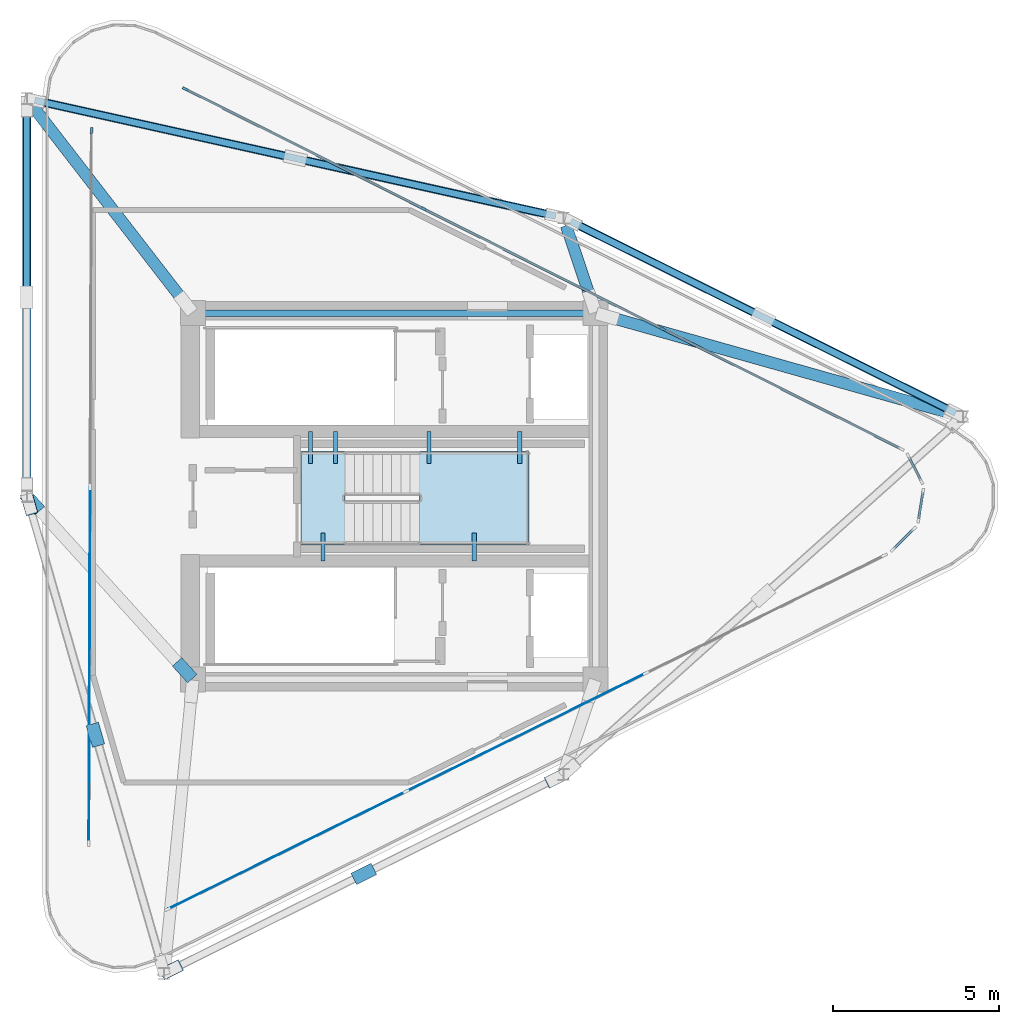
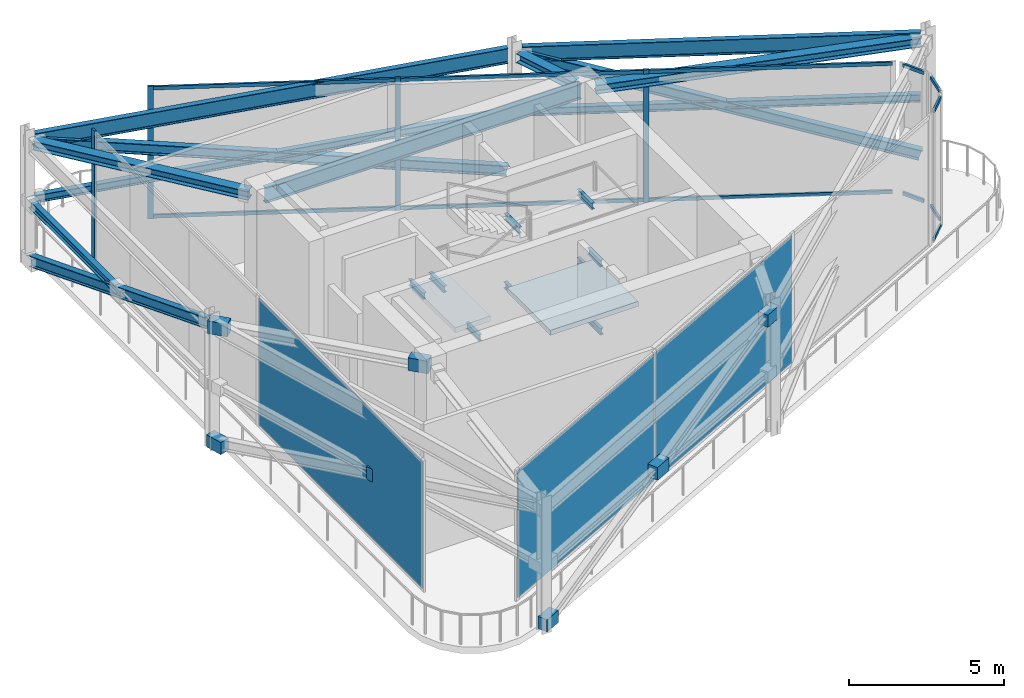
# One storey, part 2 of 7: 27 members, 12 beams, 10 plates, 2 slabs, 7 elements without a shape of their own.
"""IFC4 building model written with IfcOpenShell, lengths in metres."""

from ifc_helpers import new_model, si_unit, direction, frame, origin, origin_2d, place, context, subcontext, project, spatial, polyline, rectangle, i_section, outline, extrude, source, transform, mapped, material, layer, layer_set, material_profile, profile_set, type_object, element, aggregate, save


model = new_model("IFC4")

# Units and contexts
model_context = context("Model", 3, precision=1e-05, world=origin(), true_north=direction((0.0, 1.0)))
body_context = subcontext(model_context, "Body", "Model", "MODEL_VIEW")
ifc_project = project(units=[si_unit("LENGTHUNIT", "METRE"), si_unit("AREAUNIT", "SQUARE_METRE"), si_unit("VOLUMEUNIT", "CUBIC_METRE"), si_unit("PLANEANGLEUNIT", "RADIAN"), si_unit("MASSUNIT", "GRAM", prefix="KILO")], contexts=[model_context])

# Site, building, storey
site_placement = place(None, origin())
site = spatial("IfcSite", under=ifc_project, at=site_placement, CompositionType="ELEMENT")
building_placement = place(site_placement, origin())
building = spatial("IfcBuilding", under=site, at=building_placement, Name="Yunling Apex Tower", CompositionType="ELEMENT")
storey_placement = place(building_placement, frame((0.0, 0.0, 322.85009765625)))
storey = spatial("IfcBuildingStorey", under=building, at=storey_placement, Name="C02", CompositionType="ELEMENT", Elevation=322.85009765625)

# Beams
ifc_material_1 = material(Name="Steel Q355B", Category="steel")
ifc_material_profile_1 = material_profile(ifc_material_1, i_section(OverallWidth=0.199951171875, OverallDepth=0.60009765625, WebThickness=0.010986328125, FlangeThickness=0.01708984375, FilletRadius=0.02197265625, at=origin_2d()))
ifc_profile_set_1 = profile_set([ifc_material_profile_1], Name="Steel Q355B")
beam_type_1 = type_object("IfcBeamType", Name="BG-PRI-5", PredefinedType="USERDEFINED", material=ifc_profile_set_1)
shared_shape_1 = source(origin(), body_context, "Body", "SweptSolid", [
    extrude(i_section(OverallWidth=0.199951171875, OverallDepth=0.60009765625, WebThickness=0.010986328125, FlangeThickness=0.01708984375, FilletRadius=0.02197265625, at=origin_2d()), origin(), (0.0, 0.0, 1.0), 11.7998046875),
])
beam_1_placement = place(storey_placement, frame((5.89990234375, 5.5, 4.83984375), z_axis=(-1.0, 0.0, 0.0), x_axis=(0.0, -1.0, 0.0)))
element("IfcBeam", 1, at=beam_1_placement, inside=storey, type_object=beam_type_1, Name="C02 Core Ring Tie Beam 3", ObjectType="GIRDER", PredefinedType="USERDEFINED", context=body_context, shape_type="MappedRepresentation", body=[
    mapped(shared_shape_1, transform((0.0, 0.0, 0.0), scale=1.0)),
])
ifc_material_profile_2 = material_profile(ifc_material_1, i_section(OverallWidth=0.125, OverallDepth=0.25, WebThickness=0.006103515625, FlangeThickness=0.009033203125, FilletRadius=0.011962890625, at=origin_2d()))
ifc_profile_set_2 = profile_set([ifc_material_profile_2], Name="Steel Q355B")
beam_type_2 = type_object("IfcBeamType", Name="BL-LNT-1", PredefinedType="LINTEL", material=ifc_profile_set_2)
shared_shape_2 = source(origin(), body_context, "Body", "SweptSolid", [
    extrude(i_section(OverallWidth=0.125, OverallDepth=0.25, WebThickness=0.006103515625, FlangeThickness=0.009033203125, FilletRadius=0.011962890625, at=origin_2d()), origin(), (0.0, 0.0, 1.0), 0.949951171875),
])
for number, where, z_axis, x_axis, name in (
    (2, (1.0400390625, 1.93994140625, 1.02978515625), (0.0, -1.0, 0.0), (1.0, 0.0, 0.0), "C02 ST-C1 Landing Bearing Corbel 1-1"),
    (3, (3.77001953125, 1.93994140625, 1.02978515625), (0.0, -1.0, 0.0), (1.0, 0.0, 0.0), "C02 ST-C1 Landing Bearing Corbel 1-2"),
    (4, (-2.52001953125, 1.93994140625, 2.3798828125), (0.0, -1.0, 0.0), (1.0, 0.0, 0.0), "C02 ST-C1 Landing Bearing Corbel 2-1"),
    (5, (-1.760009765625, 1.93994140625, 2.3798828125), (0.0, -1.0, 0.0), (1.0, 0.0, 0.0), "C02 ST-C1 Landing Bearing Corbel 2-2"),
    (6, (1.0400390625, 1.93994140625, 3.72998046875), (0.0, -1.0, 0.0), (1.0, 0.0, 0.0), "C02 ST-C1 Landing Bearing Corbel 3-1"),
    (7, (3.77001953125, 1.93994140625, 3.72998046875), (0.0, -1.0, 0.0), (1.0, 0.0, 0.0), "C02 ST-C1 Landing Bearing Corbel 3-2"),
):
    element("IfcBeam", number, at=place(storey_placement, frame(where, z_axis=z_axis, x_axis=x_axis)), inside=storey, type_object=beam_type_2, Name=name, PredefinedType="LINTEL", context=body_context, shape_type="MappedRepresentation", body=[
        mapped(shared_shape_2, transform((0.0, 0.0, 0.0), scale=1.0)),
    ])
shared_shape_3 = source(origin(), body_context, "Body", "SweptSolid", [
    extrude(i_section(OverallWidth=0.125, OverallDepth=0.25, WebThickness=0.006103515625, FlangeThickness=0.009033203125, FilletRadius=0.011962890625, at=origin_2d()), origin(), (0.0, 0.0, 1.0), 0.83984375),
])
for number, where, z_axis, x_axis, name in (
    (8, (2.405029296875, -1.93994140625, 1.02978515625), (0.0, 1.0, 0.0), (-1.0, 0.0, 0.0), "C02 ST-C1 Landing Bearing Corbel 1-3"),
    (9, (-2.139892578125, -1.93994140625, 2.3798828125), (0.0, 1.0, 0.0), (-1.0, 0.0, 0.0), "C02 ST-C1 Landing Bearing Corbel 2-3"),
    (10, (2.405029296875, -1.93994140625, 3.72998046875), (0.0, 1.0, 0.0), (-1.0, 0.0, 0.0), "C02 ST-C1 Landing Bearing Corbel 3-3"),
):
    element("IfcBeam", number, at=place(storey_placement, frame(where, z_axis=z_axis, x_axis=x_axis)), inside=storey, type_object=beam_type_2, Name=name, PredefinedType="LINTEL", context=body_context, shape_type="MappedRepresentation", body=[
        mapped(shared_shape_3, transform((0.0, 0.0, 0.0), scale=1.0)),
    ])
shared_shape_4 = source(origin(), body_context, "Body", "SweptSolid", [
    extrude(i_section(OverallWidth=0.199951171875, OverallDepth=0.60009765625, WebThickness=0.010986328125, FlangeThickness=0.01708984375, FilletRadius=0.02197265625, at=origin_2d()), origin(), (0.0, 0.0, 1.0), 12.920654296875),
])
beam_2_placement = place(storey_placement, frame((16.8701171875, 2.499267578125, 4.83984375), z_axis=(-0.895245748145, 0.445572721818, 0.0), x_axis=(-0.445572721818, -0.895245748145, 0.0)))
element("IfcBeam", 11, at=beam_2_placement, inside=storey, type_object=beam_type_1, Name="C02 Crown Ring Beam 3", ObjectType="GIRDER", PredefinedType="USERDEFINED", context=body_context, shape_type="MappedRepresentation", body=[
    mapped(shared_shape_4, transform((0.0, 0.0, 0.0), scale=1.0)),
])

# Members
ifc_material_profile_3 = material_profile(ifc_material_1, i_section(OverallWidth=0.25, OverallDepth=0.39990234375, WebThickness=0.013916015625, FlangeThickness=0.02197265625, FilletRadius=0.01611328125, at=origin_2d()))
ifc_profile_set_3 = profile_set([ifc_material_profile_3], Name="Steel Q355B")
member_type_1 = type_object("IfcMemberType", Name="CR-RIB-1", PredefinedType="RAFTER", material=ifc_profile_set_3)
shared_shape_5 = source(origin(), body_context, "Body", "SweptSolid", [
    extrude(i_section(OverallWidth=0.25, OverallDepth=0.39990234375, WebThickness=0.013916015625, FlangeThickness=0.02197265625, FilletRadius=0.01611328125, at=origin_2d()), origin(), (0.0, 0.0, 1.0), 13.678466796875),
])
member_1_placement = place(storey_placement, frame((16.8701171875, 2.499267578125, 0.2998046875), z_axis=(-0.845640817828, 0.420883854138, 0.328250496648), x_axis=(-0.445572721818, -0.895245748145, 0.0)))
element("IfcMember", 12, at=member_1_placement, inside=storey, type_object=member_type_1, Name="C02 Crown Faceted Structural Rafter 3", PredefinedType="RAFTER", context=body_context, shape_type="MappedRepresentation", body=[
    mapped(shared_shape_5, transform((0.0, 0.0, 0.0), scale=1.0)),
])
ifc_material_profile_4 = material_profile(ifc_material_1, i_section(OverallWidth=0.199951171875, OverallDepth=0.300048828125, WebThickness=0.009033203125, FlangeThickness=0.013916015625, FilletRadius=0.013916015625, at=origin_2d()))
ifc_profile_set_4 = profile_set([ifc_material_profile_4], Name="Steel Q355B")
member_type_2 = type_object("IfcMemberType", Name="CR-PUR-1", PredefinedType="PURLIN", material=ifc_profile_set_4)
shared_shape_6 = source(origin(), body_context, "Body", "SweptSolid", [
    extrude(i_section(OverallWidth=0.199951171875, OverallDepth=0.300048828125, WebThickness=0.009033203125, FlangeThickness=0.013916015625, FilletRadius=0.013916015625, at=origin_2d()), origin(), (0.0, 0.0, 1.0), 6.335205078125),
])
for number, where, z_axis, x_axis, name in (
    (13, (16.8701171875, 2.499267578125, 2.544921875), (-0.895250359545, 0.445563456462, 0.0), (-0.445563456462, -0.895250359545, 0.0), "C02 Crown Faceted Glazing Purlin 3A"),
    (14, (10.974609375, 5.43359375, 2.544921875), (-0.895250359545, 0.445563456462, 0.0), (-0.445563456462, -0.895250359545, 0.0), "C02 Crown Faceted Glazing Purlin 3B"),
):
    element("IfcMember", number, at=place(storey_placement, frame(where, z_axis=z_axis, x_axis=x_axis)), inside=storey, type_object=member_type_2, Name=name, PredefinedType="PURLIN", context=body_context, shape_type="MappedRepresentation", body=[
        mapped(shared_shape_6, transform((0.0, 0.0, 0.0), scale=1.0)),
    ])
ifc_material_profile_5 = material_profile(ifc_material_1, i_section(OverallWidth=0.35009765625, OverallDepth=0.35009765625, WebThickness=0.011962890625, FlangeThickness=0.01904296875, FilletRadius=0.01611328125, at=origin_2d()))
ifc_profile_set_5 = profile_set([ifc_material_profile_5], Name="Steel Q355B")
member_type_3 = type_object("IfcMemberType", Name="ST-STR-1", PredefinedType="STRUT", material=ifc_profile_set_5)
shared_shape_7 = source(origin(), body_context, "Body", "SweptSolid", [
    extrude(i_section(OverallWidth=0.35009765625, OverallDepth=0.35009765625, WebThickness=0.011962890625, FlangeThickness=0.01904296875, FilletRadius=0.01611328125, at=origin_2d()), origin(), (0.0, 0.0, 1.0), 2.414794921875),
])
member_2_placement = place(storey_placement, frame((5.93359375, 5.845947265625, 4.83984375), z_axis=(-0.318865218204, 0.947800069962, 0.0), x_axis=(-0.947800069962, -0.318865218204, 0.0)))
element("IfcMember", 15, at=member_2_placement, inside=storey, type_object=member_type_3, Name="C02 Crown Radial Stabilizer Strut 4", PredefinedType="STRUT", context=body_context, shape_type="MappedRepresentation", body=[
    mapped(shared_shape_7, transform((0.0, 0.0, 0.0), scale=1.0)),
])
shared_shape_8 = source(origin(), body_context, "Body", "SweptSolid", [
    extrude(i_section(OverallWidth=0.35009765625, OverallDepth=0.35009765625, WebThickness=0.011962890625, FlangeThickness=0.01904296875, FilletRadius=0.01611328125, at=origin_2d()), origin(), (0.0, 0.0, 1.0), 10.859130859375),
])
member_3_placement = place(storey_placement, frame((6.4013671875, 5.40087890625, 4.83984375), z_axis=(0.962552176082, -0.271096492635, 0.0), x_axis=(0.271096492635, 0.962552176082, 0.0)))
element("IfcMember", 16, at=member_3_placement, inside=storey, type_object=member_type_3, Name="C02 Crown Radial Stabilizer Strut 3", PredefinedType="STRUT", context=body_context, shape_type="MappedRepresentation", body=[
    mapped(shared_shape_8, transform((0.0, 0.0, 0.0), scale=1.0)),
])

# Beam
shared_shape_9 = source(origin(), body_context, "Body", "SweptSolid", [
    extrude(i_section(OverallWidth=0.199951171875, OverallDepth=0.60009765625, WebThickness=0.010986328125, FlangeThickness=0.01708984375, FilletRadius=0.02197265625, at=origin_2d()), origin(), (0.0, 0.0, 1.0), 16.032470703125),
])
beam_3_placement = place(storey_placement, frame((4.85009765625, 8.41650390625, 4.83984375), z_axis=(-0.976209627897, 0.216828878151, 0.0), x_axis=(-0.216828878151, -0.976209627897, 0.0)))
element("IfcBeam", 17, at=beam_3_placement, inside=storey, type_object=beam_type_1, Name="C02 Crown Ring Beam 4", ObjectType="GIRDER", PredefinedType="USERDEFINED", context=body_context, shape_type="MappedRepresentation", body=[
    mapped(shared_shape_9, transform((0.0, 0.0, 0.0), scale=1.0)),
])

# Members
shared_shape_10 = source(origin(), body_context, "Body", "SweptSolid", [
    extrude(i_section(OverallWidth=0.25, OverallDepth=0.39990234375, WebThickness=0.013916015625, FlangeThickness=0.02197265625, FilletRadius=0.01611328125, at=origin_2d()), origin(), (0.0, 0.0, 1.0), 16.6494140625),
])
member_4_placement = place(storey_placement, frame((4.85009765625, 8.41650390625, 0.2998046875), z_axis=(-0.940041377627, 0.208795438502, 0.269678833449), x_axis=(-0.216828878151, -0.976209627897, 0.0)))
element("IfcMember", 18, at=member_4_placement, inside=storey, type_object=member_type_1, Name="C02 Crown Faceted Structural Rafter 4", PredefinedType="RAFTER", context=body_context, shape_type="MappedRepresentation", body=[
    mapped(shared_shape_10, transform((0.0, 0.0, 0.0), scale=1.0)),
])
shared_shape_11 = source(origin(), body_context, "Body", "SweptSolid", [
    extrude(i_section(OverallWidth=0.199951171875, OverallDepth=0.300048828125, WebThickness=0.009033203125, FlangeThickness=0.013916015625, FilletRadius=0.013916015625, at=origin_2d()), origin(), (0.0, 0.0, 1.0), 7.891357421875),
])
for number, where, z_axis, x_axis, name in (
    (19, (4.85009765625, 8.41650390625, 2.544921875), (-0.976206710686, 0.216842011637, 0.0), (-0.216842011637, -0.976206710686, 0.0), "C02 Crown Faceted Glazing Purlin 4A"),
    (20, (-3.097412109375, 10.181884765625, 2.544921875), (-0.976213259249, 0.21681252839, 0.0), (-0.21681252839, -0.976213259249, 0.0), "C02 Crown Faceted Glazing Purlin 4B"),
):
    element("IfcMember", number, at=place(storey_placement, frame(where, z_axis=z_axis, x_axis=x_axis)), inside=storey, type_object=member_type_2, Name=name, PredefinedType="PURLIN", context=body_context, shape_type="MappedRepresentation", body=[
        mapped(shared_shape_11, transform((0.0, 0.0, 0.0), scale=1.0)),
    ])
shared_shape_12 = source(origin(), body_context, "Body", "SweptSolid", [
    extrude(i_section(OverallWidth=0.25, OverallDepth=0.39990234375, WebThickness=0.013916015625, FlangeThickness=0.02197265625, FilletRadius=0.01611328125, at=origin_2d()), origin(), (0.0, 0.0, 1.0), 12.3095703125),
])
member_5_placement = place(storey_placement, frame((-11.037353515625, 11.703369140625, 0.2998046875), z_axis=(0.0, -0.931102543385, 0.364757527274), x_axis=(1.0, 0.0, 0.0)))
element("IfcMember", 21, at=member_5_placement, inside=storey, type_object=member_type_1, Name="C02 Crown Faceted Structural Rafter 5", PredefinedType="RAFTER", context=body_context, shape_type="MappedRepresentation", body=[
    mapped(shared_shape_12, transform((0.0, 0.0, 0.0), scale=1.0)),
])
shared_shape_13 = source(origin(), body_context, "Body", "SweptSolid", [
    extrude(i_section(OverallWidth=0.199951171875, OverallDepth=0.300048828125, WebThickness=0.009033203125, FlangeThickness=0.013916015625, FilletRadius=0.013916015625, at=origin_2d()), origin(), (0.0, 0.0, 1.0), 5.605712890625),
])
member_6_placement = place(storey_placement, frame((-11.037353515625, 11.703369140625, 2.544921875), z_axis=(0.0, -1.0, 0.0), x_axis=(1.0, 0.0, 0.0)))
element("IfcMember", 22, at=member_6_placement, inside=storey, type_object=member_type_2, Name="C02 Crown Faceted Glazing Purlin 5A", PredefinedType="PURLIN", context=body_context, shape_type="MappedRepresentation", body=[
    mapped(shared_shape_13, transform((0.0, 0.0, 0.0), scale=1.0)),
])
shared_shape_14 = source(origin(), body_context, "Body", "SweptSolid", [
    extrude(i_section(OverallWidth=0.35009765625, OverallDepth=0.35009765625, WebThickness=0.011962890625, FlangeThickness=0.01904296875, FilletRadius=0.01611328125, at=origin_2d()), origin(), (0.0, 0.0, 1.0), 7.542236328125),
])
member_7_placement = place(storey_placement, frame((-6.2734375, 5.788818359375, 4.83984375), z_axis=(-0.611973397992, 0.790878347251, 0.0), x_axis=(-0.790878347251, -0.611973397992, 0.0)))
element("IfcMember", 23, at=member_7_placement, inside=storey, type_object=member_type_3, Name="C02 Crown Radial Stabilizer Strut 5", PredefinedType="STRUT", context=body_context, shape_type="MappedRepresentation", body=[
    mapped(shared_shape_14, transform((0.0, 0.0, 0.0), scale=1.0)),
])

# Curtain wall, member
ifc_material_2 = material(Name="Bronze anodised aluminium", Category="aluminium")
ifc_layer_1 = layer(ifc_material_2, 0.179931640625)
ifc_layer_set_1 = layer_set([ifc_layer_1], Name="Bronze anodised aluminium")
curtain_wall_type = type_object("IfcCurtainWallType", Name="CW-SYS-6", PredefinedType="NOTDEFINED", material=ifc_layer_set_1)
curtain_wall_1_placement = place(storey_placement, origin())
curtain_wall_1 = element("IfcCurtainWall", 24, at=curtain_wall_1_placement, inside=storey, type_object=curtain_wall_type, Name="CW-C02-01", PredefinedType="NOTDEFINED")
ifc_material_profile_6 = material_profile(ifc_material_2, rectangle(XDim=0.074951171875, YDim=0.179931640625, at=origin_2d()))
ifc_profile_set_6 = profile_set([ifc_material_profile_6], Name="Bronze anodised aluminium")
member_type_4 = type_object("IfcMemberType", Name="CW-MUL-6", PredefinedType="MULLION", material=ifc_profile_set_6)
shared_shape_15 = source(origin(), body_context, "Body", "SweptSolid", [
    extrude(rectangle(XDim=0.074951171875, YDim=0.179931640625, at=origin_2d()), origin(), (0.0, 0.0, 1.0), 5.239990234375),
])
member_8_placement = place(storey_placement, frame((-9.095458984375, 10.994873046875, -0.050048828125), z_axis=(0.0, 0.0, 1.0), x_axis=(-0.999992977757, 0.003747590734, 0.0)))
member_8 = element("IfcMember", 25, at=member_8_placement, type_object=member_type_4, Name="CW-SYS-6 mullion 3", PredefinedType="MULLION", context=body_context, shape_type="MappedRepresentation", body=[
    mapped(shared_shape_15, transform((0.0, 0.0, 0.0), scale=1.0)),
])

# Curtain wall, members
curtain_wall_2_placement = place(storey_placement, origin())
curtain_wall_2 = element("IfcCurtainWall", 26, at=curtain_wall_2_placement, inside=storey, type_object=curtain_wall_type, Name="CW-C02-05", PredefinedType="NOTDEFINED")
member_9_placement = place(storey_placement, frame((-6.27587890625, 12.23291015625, -0.050048828125), z_axis=(0.0, 0.0, 1.0), x_axis=(0.449129166844, 0.893466838495, 0.0)))
member_9 = element("IfcMember", 27, at=member_9_placement, type_object=member_type_4, Name="CW-SYS-6 mullion 1", PredefinedType="MULLION", context=body_context, shape_type="MappedRepresentation", body=[
    mapped(shared_shape_15, transform((0.0, 0.0, 0.0), scale=1.0)),
])
member_10_placement = place(storey_placement, frame((0.882080078125, 8.634765625, -0.050048828125), z_axis=(0.0, 0.0, 1.0), x_axis=(0.449129166844, 0.893466838495, 0.0)))
member_10 = element("IfcMember", 28, at=member_10_placement, type_object=member_type_4, Name="CW-SYS-6 mullion 2", PredefinedType="MULLION", context=body_context, shape_type="MappedRepresentation", body=[
    mapped(shared_shape_15, transform((0.0, 0.0, 0.0), scale=1.0)),
])
member_11_placement = place(storey_placement, frame((8.073486328125, 5.01953125, -0.050048828125), z_axis=(0.0, 0.0, 1.0), x_axis=(0.449129166844, 0.893466838495, 0.0)))
member_11 = element("IfcMember", 29, at=member_11_placement, type_object=member_type_4, Name="CW-SYS-6 mullion 3", PredefinedType="MULLION", context=body_context, shape_type="MappedRepresentation", body=[
    mapped(shared_shape_15, transform((0.0, 0.0, 0.0), scale=1.0)),
])
ifc_material_profile_7 = material_profile(ifc_material_2, rectangle(XDim=0.074951171875, YDim=0.139892578125, at=origin_2d()))
ifc_profile_set_7 = profile_set([ifc_material_profile_7], Name="Bronze anodised aluminium")
member_type_5 = type_object("IfcMemberType", Name="CW-TRN-6", PredefinedType="USERDEFINED", material=ifc_profile_set_7)
shared_shape_16 = source(origin(), body_context, "Body", "SweptSolid", [
    extrude(rectangle(XDim=0.074951171875, YDim=0.139892578125, at=origin_2d()), origin(), (0.0, 0.0, 1.0), 7.94384765625),
])
member_12_placement = place(storey_placement, frame((-6.245849609375, 12.2177734375, 0.037353515625), z_axis=(0.893466269267, -0.449130299225, 0.0), x_axis=(0.449130299225, 0.893466269267, 0.0)))
member_12 = element("IfcMember", 30, at=member_12_placement, type_object=member_type_5, Name="CW-SYS-6 transom 1.1", ObjectType="TRANSOM", PredefinedType="USERDEFINED", context=body_context, shape_type="MappedRepresentation", body=[
    mapped(shared_shape_16, transform((0.0, 0.0, 0.0), scale=1.0)),
])
member_13_placement = place(storey_placement, frame((-6.245849609375, 12.2177734375, 5.102294921875), z_axis=(0.893466269267, -0.449130299225, 0.0), x_axis=(0.449130299225, 0.893466269267, 0.0)))
member_13 = element("IfcMember", 31, at=member_13_placement, type_object=member_type_5, Name="CW-SYS-6 transom 1.2", ObjectType="TRANSOM", PredefinedType="USERDEFINED", context=body_context, shape_type="MappedRepresentation", body=[
    mapped(shared_shape_16, transform((0.0, 0.0, 0.0), scale=1.0)),
])
member_14_placement = place(storey_placement, frame((8.103759765625, 5.00439453125, 0.037353515625), z_axis=(0.893466269267, -0.449130299225, 0.0), x_axis=(0.449130299225, 0.893466269267, 0.0)))
member_14 = element("IfcMember", 32, at=member_14_placement, type_object=member_type_5, Name="CW-SYS-6 transom 3.1", ObjectType="TRANSOM", PredefinedType="USERDEFINED", context=body_context, shape_type="MappedRepresentation", body=[
    mapped(shared_shape_16, transform((0.0, 0.0, 0.0), scale=1.0)),
])
member_15_placement = place(storey_placement, frame((8.103759765625, 5.00439453125, 5.102294921875), z_axis=(0.893466269267, -0.449130299225, 0.0), x_axis=(0.449130299225, 0.893466269267, 0.0)))
member_15 = element("IfcMember", 33, at=member_15_placement, type_object=member_type_5, Name="CW-SYS-6 transom 3.2", ObjectType="TRANSOM", PredefinedType="USERDEFINED", context=body_context, shape_type="MappedRepresentation", body=[
    mapped(shared_shape_16, transform((0.0, 0.0, 0.0), scale=1.0)),
])
shared_shape_17 = source(origin(), body_context, "Body", "SweptSolid", [
    extrude(rectangle(XDim=0.074951171875, YDim=0.139892578125, at=origin_2d()), origin(), (0.0, 0.0, 1.0), 7.981689453125),
])
member_16_placement = place(storey_placement, frame((0.912109375, 8.61962890625, 0.037353515625), z_axis=(0.893470813847, -0.449121258463, 0.0), x_axis=(0.449121258463, 0.893470813847, 0.0)))
member_16 = element("IfcMember", 34, at=member_16_placement, type_object=member_type_5, Name="CW-SYS-6 transom 2.1", ObjectType="TRANSOM", PredefinedType="USERDEFINED", context=body_context, shape_type="MappedRepresentation", body=[
    mapped(shared_shape_17, transform((0.0, 0.0, 0.0), scale=1.0)),
])
member_17_placement = place(storey_placement, frame((0.912109375, 8.61962890625, 5.102294921875), z_axis=(0.893470813847, -0.449121258463, 0.0), x_axis=(0.449121258463, 0.893470813847, 0.0)))
member_17 = element("IfcMember", 35, at=member_17_placement, type_object=member_type_5, Name="CW-SYS-6 transom 2.2", ObjectType="TRANSOM", PredefinedType="USERDEFINED", context=body_context, shape_type="MappedRepresentation", body=[
    mapped(shared_shape_17, transform((0.0, 0.0, 0.0), scale=1.0)),
])
aggregate(curtain_wall_2, [member_9, member_10, member_11, member_12, member_13, member_16, member_17, member_14, member_15])

curtain_wall_3_placement = place(storey_placement, origin())
curtain_wall_3 = element("IfcCurtainWall", 36, at=curtain_wall_3_placement, inside=storey, type_object=curtain_wall_type, Name="CW-C02-06", PredefinedType="NOTDEFINED")
shared_shape_18 = source(origin(), body_context, "Body", "SweptSolid", [
    extrude(rectangle(XDim=0.074951171875, YDim=0.139892578125, at=origin_2d()), origin(), (0.0, 0.0, 1.0), 0.7998046875),
])
member_18_placement = place(storey_placement, frame((15.459716796875, 1.1806640625, 0.037353515625), z_axis=(0.457561808635, -0.889177817581, 0.0), x_axis=(0.889177817581, 0.457561808635, 0.0)))
member_18 = element("IfcMember", 37, at=member_18_placement, type_object=member_type_5, Name="CW-SYS-6 transom 1.1", ObjectType="TRANSOM", PredefinedType="USERDEFINED", context=body_context, shape_type="MappedRepresentation", body=[
    mapped(shared_shape_18, transform((0.0, 0.0, 0.0), scale=1.0)),
])
member_19_placement = place(storey_placement, frame((15.459716796875, 1.1806640625, 5.102294921875), z_axis=(0.457561808635, -0.889177817581, 0.0), x_axis=(0.889177817581, 0.457561808635, 0.0)))
member_19 = element("IfcMember", 38, at=member_19_placement, type_object=member_type_5, Name="CW-SYS-6 transom 1.2", ObjectType="TRANSOM", PredefinedType="USERDEFINED", context=body_context, shape_type="MappedRepresentation", body=[
    mapped(shared_shape_18, transform((0.0, 0.0, 0.0), scale=1.0)),
])
aggregate(curtain_wall_3, [member_18, member_19])

curtain_wall_4_placement = place(storey_placement, origin())
curtain_wall_4 = element("IfcCurtainWall", 39, at=curtain_wall_4_placement, inside=storey, type_object=curtain_wall_type, Name="CW-C02-07", PredefinedType="NOTDEFINED")
shared_shape_19 = source(origin(), body_context, "Body", "SweptSolid", [
    extrude(rectangle(XDim=0.074951171875, YDim=0.139892578125, at=origin_2d()), origin(), (0.0, 0.0, 1.0), 0.800048828125),
])
member_20_placement = place(storey_placement, frame((15.883056640625, 0.110595703125, 0.037353515625), z_axis=(-0.157764369161, -0.987476786473, 0.0), x_axis=(0.987476786473, -0.157764369161, 0.0)))
member_20 = element("IfcMember", 40, at=member_20_placement, type_object=member_type_5, Name="CW-SYS-6 transom 1.1", ObjectType="TRANSOM", PredefinedType="USERDEFINED", context=body_context, shape_type="MappedRepresentation", body=[
    mapped(shared_shape_19, transform((0.0, 0.0, 0.0), scale=1.0)),
])
member_21_placement = place(storey_placement, frame((15.883056640625, 0.110595703125, 5.102294921875), z_axis=(-0.157764369161, -0.987476786473, 0.0), x_axis=(0.987476786473, -0.157764369161, 0.0)))
member_21 = element("IfcMember", 41, at=member_21_placement, type_object=member_type_5, Name="CW-SYS-6 transom 1.2", ObjectType="TRANSOM", PredefinedType="USERDEFINED", context=body_context, shape_type="MappedRepresentation", body=[
    mapped(shared_shape_19, transform((0.0, 0.0, 0.0), scale=1.0)),
])
aggregate(curtain_wall_4, [member_20, member_21])

curtain_wall_5_placement = place(storey_placement, origin())
curtain_wall_5 = element("IfcCurtainWall", 42, at=curtain_wall_5_placement, inside=storey, type_object=curtain_wall_type, Name="CW-C02-08", PredefinedType="NOTDEFINED")
shared_shape_20 = source(origin(), body_context, "Body", "SweptSolid", [
    extrude(rectangle(XDim=0.074951171875, YDim=0.139892578125, at=origin_2d()), origin(), (0.0, 0.0, 1.0), 0.815673828125),
])
member_22_placement = place(storey_placement, frame((15.59033203125, -1.002197265625, 0.037353515625), z_axis=(-0.713215672413, -0.700944651612, 0.0), x_axis=(0.700944651612, -0.713215672413, 0.0)))
member_22 = element("IfcMember", 43, at=member_22_placement, type_object=member_type_5, Name="CW-SYS-6 transom 1.1", ObjectType="TRANSOM", PredefinedType="USERDEFINED", context=body_context, shape_type="MappedRepresentation", body=[
    mapped(shared_shape_20, transform((0.0, 0.0, 0.0), scale=1.0)),
])
member_23_placement = place(storey_placement, frame((15.59033203125, -1.002197265625, 5.102294921875), z_axis=(-0.713215672413, -0.700944651612, 0.0), x_axis=(0.700944651612, -0.713215672413, 0.0)))
member_23 = element("IfcMember", 44, at=member_23_placement, type_object=member_type_5, Name="CW-SYS-6 transom 1.2", ObjectType="TRANSOM", PredefinedType="USERDEFINED", context=body_context, shape_type="MappedRepresentation", body=[
    mapped(shared_shape_20, transform((0.0, 0.0, 0.0), scale=1.0)),
])
aggregate(curtain_wall_5, [member_22, member_23])

# Stair, slabs
ifc_material_3 = material(Name="Concrete C40", Category="concrete")
stair_type = type_object("IfcStairType", Name="ST-CRN-1", PredefinedType="STRAIGHT_RUN_STAIR", material=ifc_material_3)
stair_placement = place(storey_placement, origin())
stair = element("IfcStair", 45, at=stair_placement, inside=storey, type_object=stair_type, Name="C02 Crown Maintenance Access Stair ST-C1", PredefinedType="HALF_TURN_STAIR")
ifc_layer_2 = layer(ifc_material_3, 0.195068359375)
ifc_layer_set_2 = layer_set([ifc_layer_2], Name="Concrete C40")
slab_type = type_object("IfcSlabType", Name="SL-LND-1", PredefinedType="LANDING", material=ifc_layer_set_2)
slab_1_placement = place(storey_placement, frame((0.0, 0.0, 1.15478515625)))
slab_1 = element("IfcSlab", 46, at=slab_1_placement, type_object=slab_type, Name="ST-C1 landing 1", PredefinedType="LANDING", context=body_context, shape_type="SweptSolid", body=[
    extrude(outline(polyline([(0.760009765625, -1.449951171875), (4.050048828125, -1.449951171875), (4.050048828125, 1.340087890625), (0.760009765625, 1.340087890625), (0.760009765625, -1.449951171875)])), origin(), (0.0, 0.0, 1.0), 0.195068359375),
])
slab_2_placement = place(storey_placement, frame((0.0, 0.0, 2.5048828125)))
slab_2 = element("IfcSlab", 47, at=slab_2_placement, type_object=slab_type, Name="ST-C1 landing 2", PredefinedType="LANDING", context=body_context, shape_type="SweptSolid", body=[
    extrude(outline(polyline([(-2.800048828125, -1.449951171875), (-1.47998046875, -1.449951171875), (-1.47998046875, 1.340087890625), (-2.800048828125, 1.340087890625), (-2.800048828125, -1.449951171875)])), origin(), (0.0, 0.0, 1.0), 0.195068359375),
])
aggregate(stair, [slab_1, slab_2])

# Plates
ifc_layer_3 = layer(ifc_material_1, 0.031982421875)
ifc_layer_set_3 = layer_set([ifc_layer_3], Name="Steel Q355B")
plate_type_1 = type_object("IfcPlateType", Name="NP-GUS-2", PredefinedType="USERDEFINED", material=ifc_layer_set_3)
shared_shape_21 = source(origin(), body_context, "Body", "SweptSolid", [
    extrude(rectangle(XDim=0.64990234375, YDim=0.360107421875, at=origin_2d()), origin(), (0.0, 0.0, 1.0), 0.47998046875),
])
for number, where, z_axis, x_axis, name in (
    (48, (-6.697509765625, -14.22900390625, 0.059814453125), (0.0, 0.0, 1.0), (0.895245648325, 0.445572922377, 0.0), "C02 Crown Rafter Foot Gusset Plate 383"),
    (49, (4.86962890625, -8.471923828125, 4.5498046875), (0.0, 0.0, 1.0), (0.895245648325, 0.445572922377, 0.0), "C02 Crown Rafter Head Gusset Plate 384"),
    (50, (-10.970458984375, -0.232666015625, 0.059814453125), (0.0, 0.0, 1.0), (0.276476109834, -0.961020790978, 0.0), "C02 Crown Rafter Foot Gusset Plate 416"),
):
    element("IfcPlate", number, at=place(storey_placement, frame(where, z_axis=z_axis, x_axis=x_axis)), inside=storey, type_object=plate_type_1, Name=name, ObjectType="GUSSET_PLATE", PredefinedType="USERDEFINED", context=body_context, shape_type="MappedRepresentation", body=[
        mapped(shared_shape_21, transform((0.0, 0.0, 0.0), scale=1.0)),
    ])
shared_shape_22 = source(origin(), body_context, "Body", "SweptSolid", [
    extrude(rectangle(XDim=0.679931640625, YDim=0.3798828125, at=origin_2d()), origin(), (0.0, 0.0, 1.0), 0.5),
])
for number, where, z_axis, x_axis, name in (
    (51, (-0.913818359375, -11.350341796875, 2.294921875), (0.0, 0.0, 1.0), (0.895245648325, 0.445572922377, 0.0), "C02 Crown Rafter-Purlin Midpoint Gusset Plate 385"),
    (52, (-8.9755859375, -7.16845703125, 2.294921875), (0.0, 0.0, 1.0), (0.276476109834, -0.961020790978, 0.0), "C02 Crown Rafter-Purlin Midpoint Gusset Plate 417"),
    (53, (-6.295166015625, -5.2294921875, 4.58984375), (0.0, 0.0, 1.0), (-0.671720589323, 0.740804596287, 0.0), "C02 Crown Tie Strut Core Gusset Plate 420"),
    (54, (-10.874755859375, -0.17919921875, 4.58984375), (0.0, 0.0, 1.0), (-0.671720589323, 0.740804596287, 0.0), "C02 Crown Tie Strut Perimeter Gusset Plate 421"),
):
    element("IfcPlate", number, at=place(storey_placement, frame(where, z_axis=z_axis, x_axis=x_axis)), inside=storey, type_object=plate_type_1, Name=name, ObjectType="GUSSET_PLATE", PredefinedType="USERDEFINED", context=body_context, shape_type="MappedRepresentation", body=[
        mapped(shared_shape_22, transform((0.0, 0.0, 0.0), scale=1.0)),
    ])

# Plate
ifc_material_4 = material(Name="Bronze fritted laminated crown glass", Category="glass")
ifc_layer_4 = layer(ifc_material_4, 0.02587890625)
ifc_layer_set_4 = layer_set([ifc_layer_4], Name="Bronze fritted laminated crown glass")
plate_type_2 = type_object("IfcPlateType", Name="CW-PNL-6", PredefinedType="CURTAIN_PANEL", material=ifc_layer_set_4)
shared_shape_23 = source(origin(), body_context, "Body", "SweptSolid", [
    extrude(rectangle(XDim=10.656494140625, YDim=0.02587890625, at=origin_2d()), origin(), (0.0, 0.0, 1.0), 5.005615234375),
])
plate_1_placement = place(storey_placement, frame((-9.155517578125, -5.0791015625, 0.06689453125), z_axis=(0.0, 0.0, 1.0), x_axis=(0.003747590734, 0.999992977757, 0.0)))
plate_1 = element("IfcPlate", 55, at=plate_1_placement, type_object=plate_type_2, Name="CW-SYS-6 panel 1.1", PredefinedType="CURTAIN_PANEL", context=body_context, shape_type="MappedRepresentation", body=[
    mapped(shared_shape_23, transform((0.0, 0.0, 0.0), scale=1.0)),
])

aggregate(curtain_wall_1, [member_8, plate_1])

# Curtain wall, plates
curtain_wall_6_placement = place(storey_placement, origin())
curtain_wall_6 = element("IfcCurtainWall", 56, at=curtain_wall_6_placement, inside=storey, type_object=curtain_wall_type, Name="CW-C02-09", PredefinedType="NOTDEFINED")
shared_shape_24 = source(origin(), body_context, "Body", "SweptSolid", [
    extrude(rectangle(XDim=7.935546875, YDim=0.02587890625, at=origin_2d()), origin(), (0.0, 0.0, 1.0), 5.005615234375),
])
plate_2_placement = place(storey_placement, frame((-3.2265625, -10.64013671875, 0.06689453125), z_axis=(0.0, 0.0, 1.0), x_axis=(-0.896735689111, -0.442566496556, 0.0)))
plate_2 = element("IfcPlate", 57, at=plate_2_placement, type_object=plate_type_2, Name="CW-SYS-6 panel 3.1", PredefinedType="CURTAIN_PANEL", context=body_context, shape_type="MappedRepresentation", body=[
    mapped(shared_shape_24, transform((0.0, 0.0, 0.0), scale=1.0)),
])
shared_shape_25 = source(origin(), body_context, "Body", "SweptSolid", [
    extrude(rectangle(XDim=7.97314453125, YDim=0.02587890625, at=origin_2d()), origin(), (0.0, 0.0, 1.0), 5.005615234375),
])
plate_3_placement = place(storey_placement, frame((3.959716796875, -7.093505859375, 0.06689453125), z_axis=(0.0, 0.0, 1.0), x_axis=(-0.896735689111, -0.442566496556, 0.0)))
plate_3 = element("IfcPlate", 58, at=plate_3_placement, type_object=plate_type_2, Name="CW-SYS-6 panel 2.1", PredefinedType="CURTAIN_PANEL", context=body_context, shape_type="MappedRepresentation", body=[
    mapped(shared_shape_25, transform((0.0, 0.0, 0.0), scale=1.0)),
])
aggregate(curtain_wall_6, [plate_3, plate_2])

save(model, "model.ifc")
